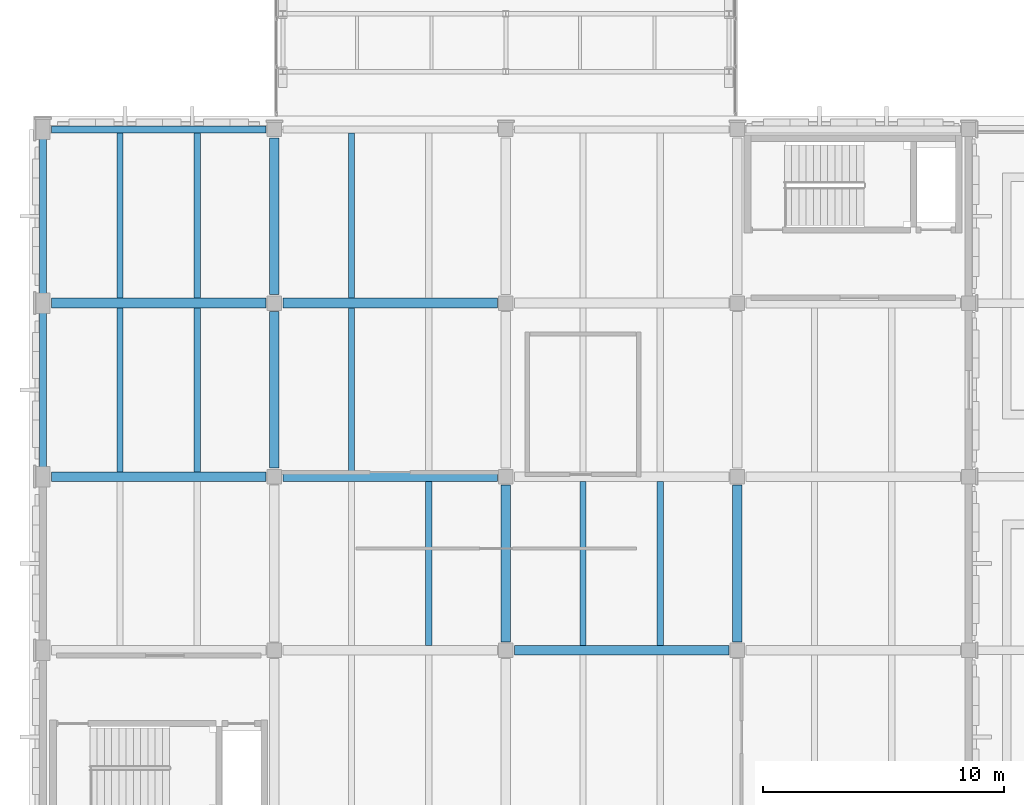
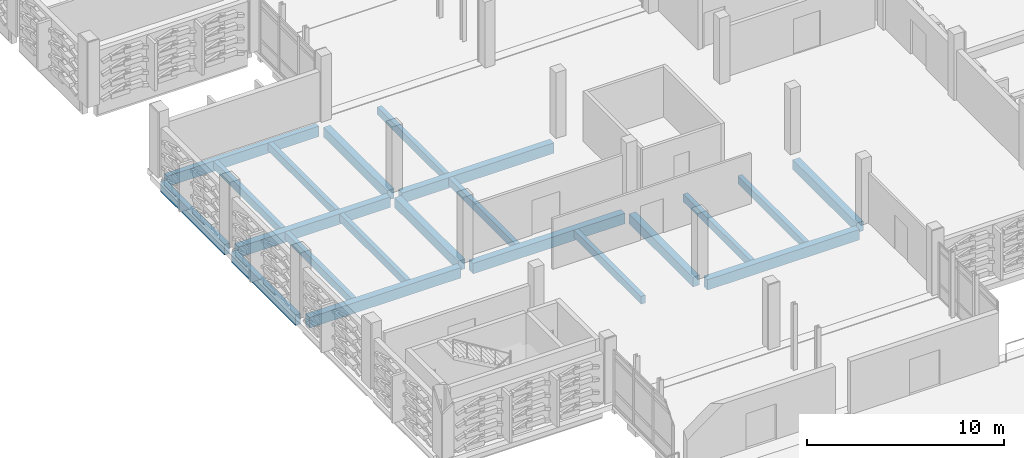
# One storey, part 13 of 134: 21 beams.
"""IFC4 building model written with IfcOpenShell, lengths in metres."""

import ifcopenshell
import ifcopenshell.guid

model = None  # the IFC model being written
_history = None  # IfcOwnerHistory: only IFC2X3 demands one
_inside = {}  # id of a spatial element -> (the spatial element, [elements in it])
_under = {}  # id of a project, library or spatial element -> (it, [spatial elements below it])
_declared = {}  # id of a project -> (the project, [libraries it declares])
_typed = {}  # id of a type object -> (the type object, [elements of that type])
_made_of = {}  # id of a material, layer set ... -> (it, [elements and type objects made of it])


def new_model(schema):
    """Start an empty IFC model of exactly this schema.

    Asked for "IFC4X3", IfcOpenShell would pick the latest addendum, in which some entities
    have other attributes; the version numbers below select the first issue.
    IFC2X3 requires an IfcOwnerHistory on every rooted entity: one is made here for all.
    """
    global model, _history
    if schema == "IFC4X3":
        model = ifcopenshell.file(schema_version=(4, 3, 0, 0))
    else:
        model = ifcopenshell.file(schema=schema)
    _inside.clear()
    _under.clear()
    _declared.clear()
    _typed.clear()
    _made_of.clear()
    _history = None
    if model.schema == "IFC2X3":
        org = make("IfcOrganization", Name="unknown")
        user = make(
            "IfcPersonAndOrganization",
            ThePerson=make("IfcPerson", FamilyName="unknown"),
            TheOrganization=org,
        )
        app = make(
            "IfcApplication",
            ApplicationDeveloper=org,
            Version="unknown",
            ApplicationFullName="unknown",
            ApplicationIdentifier="unknown",
        )
        _history = make(
            "IfcOwnerHistory",
            OwningUser=user,
            OwningApplication=app,
            ChangeAction="ADDED",
            CreationDate=0,
        )
    return model


def make(cls, **values):
    """One entity of the class cls with the attributes given. An attribute that is None is left unset."""
    return model.create_entity(
        cls, **{name: value for name, value in values.items() if value is not None}
    )


def rooted(cls, **values):
    """An entity with a GlobalId (a new one), such as an element, a storey or a relation."""
    return make(cls, GlobalId=ifcopenshell.guid.new(), OwnerHistory=_history, **values)


def si_unit(unit_type, name, prefix=None):
    """IfcSIUnit, for example si_unit("LENGTHUNIT", "METRE", prefix="MILLI")."""
    return make("IfcSIUnit", UnitType=unit_type, Prefix=prefix, Name=name)


def assignment(units):
    """IfcUnitAssignment: the units of a project."""
    return None if units is None else make("IfcUnitAssignment", Units=units)


def point(xyz):
    """IfcCartesianPoint."""
    return None if xyz is None else make("IfcCartesianPoint", Coordinates=xyz)


def direction(xyz):
    """IfcDirection."""
    return None if xyz is None else make("IfcDirection", DirectionRatios=xyz)


def frame(location, z_axis=None, x_axis=None):
    """IfcAxis2Placement3D, a coordinate frame: its origin and axes. An axis left out is left unset."""
    return make(
        "IfcAxis2Placement3D",
        Location=point(location),
        Axis=direction(z_axis),
        RefDirection=direction(x_axis),
    )


def frame_2d(location, x_axis=None):
    """IfcAxis2Placement2D, a coordinate frame in the plane: its origin and x axis."""
    return make(
        "IfcAxis2Placement2D", Location=point(location), RefDirection=direction(x_axis)
    )


def origin():
    """The frame at (0, 0, 0) with its axes left unset."""
    return frame((0.0, 0.0, 0.0))


def origin_2d():
    """The frame at (0, 0) in the plane with its x axis left unset."""
    return frame_2d((0.0, 0.0))


def place(relative_to, where):
    """IfcLocalPlacement: puts the frame where relative to a parent placement (None: the world)."""
    return make(
        "IfcLocalPlacement", PlacementRelTo=relative_to, RelativePlacement=where
    )


def context(
    kind, dimensions, precision=None, world=None, true_north=None, identifier=None
):
    """IfcGeometricRepresentationContext, for example the 3D "Model" context."""
    return make(
        "IfcGeometricRepresentationContext",
        ContextIdentifier=identifier,
        ContextType=kind,
        CoordinateSpaceDimension=dimensions,
        Precision=precision,
        WorldCoordinateSystem=world,
        TrueNorth=true_north,
    )


def subcontext(parent, identifier, kind, view, scale=None):
    """IfcGeometricRepresentationSubContext, for example "Body" below "Model"."""
    return make(
        "IfcGeometricRepresentationSubContext",
        ContextIdentifier=identifier,
        ContextType=kind,
        ParentContext=parent,
        TargetScale=scale,
        TargetView=view,
    )


def project(units=None, contexts=None):
    """IfcProject with its units and contexts."""
    return rooted(
        "IfcProject",
        Name="project",
        RepresentationContexts=contexts,
        UnitsInContext=assignment(units),
    )


def spatial(cls, under=None, at=None, **own):
    """A site, building, storey or space (cls), placed at a placement, below another one or the project."""
    s = rooted(cls, ObjectPlacement=at, **own)
    if under is not None:
        _under.setdefault(under.id(), (under, []))[1].append(s)
    return s


def profile(cls, at=None, kind="AREA", **sizes):
    """A parametric profile (cls). Its sizes go by their IFC names, for example OverallWidth=200.0."""
    return make(cls, ProfileType=kind, Position=at, **sizes)


def rectangle(**sizes):
    """IfcRectangleProfileDef."""
    return profile("IfcRectangleProfileDef", **sizes)


def extrude(swept, where, along, depth):
    """IfcExtrudedAreaSolid: the profile swept, set in the frame where, extruded along a direction by depth."""
    return make(
        "IfcExtrudedAreaSolid",
        SweptArea=swept,
        Position=where,
        ExtrudedDirection=direction(along),
        Depth=depth,
    )


def shape(context_of_items, identifier, shape_type, items):
    """IfcShapeRepresentation: the items that make up one representation, for example the "Body"."""
    return make(
        "IfcShapeRepresentation",
        ContextOfItems=context_of_items,
        RepresentationIdentifier=identifier,
        RepresentationType=shape_type,
        Items=items,
    )


def material(Name=None, Category=None):
    """IfcMaterial."""
    return make("IfcMaterial", Name=Name, Category=Category)


def material_profile(
    of_material, cross_section, Name=None, Category=None, Priority=None
):
    """IfcMaterialProfile: a cross section and its material."""
    return make(
        "IfcMaterialProfile",
        Name=Name,
        Material=of_material,
        Profile=cross_section,
        Priority=Priority,
        Category=Category,
    )


def profile_set(profiles, Name=None, composite=None):
    """IfcMaterialProfileSet."""
    return make(
        "IfcMaterialProfileSet",
        Name=Name,
        MaterialProfiles=profiles,
        CompositeProfile=composite,
    )


def made_of(thing, what):
    """Note that an element or type object is made of a material, layer set ...; save() writes the relation."""
    if what is not None:
        _made_of.setdefault(what.id(), (what, []))[1].append(thing)
    return thing


def type_object(cls, material=None, **own):
    """A type object (cls), such as IfcWallType, which elements share."""
    return made_of(rooted(cls, **own), material)


def element(
    cls,
    number,
    at=None,
    inside=None,
    cuts=None,
    type_object=None,
    material=None,
    context=None,
    identifier="Body",
    shape_type=None,
    held_by="IfcProductDefinitionShape",
    body=None,
    shapes=None,
    **own,
):
    """One element of the class cls, such as IfcWall. Its Tag is "e" and its number.

    at: its placement. inside: the storey or other place that contains it. cuts: it is an
    opening in that element (IfcRelVoidsElement). A single representation is given by context,
    identifier, shape_type and body (its items); several are given by shapes. held_by: the class
    of the entity that holds the representations. save() writes the other relations.
    """
    e = rooted(cls, Tag="e%d" % number, ObjectPlacement=at, **own)
    if body is not None:
        shapes = [shape(context, identifier, shape_type, body)]
    if shapes is not None:
        e.Representation = make(held_by, Representations=shapes)
    if inside is not None:
        _inside.setdefault(inside.id(), (inside, []))[1].append(e)
    if cuts is not None:
        rooted(
            "IfcRelVoidsElement", RelatingBuildingElement=cuts, RelatedOpeningElement=e
        )
    if type_object is not None:
        _typed.setdefault(type_object.id(), (type_object, []))[1].append(e)
    return made_of(e, material)


def aggregate(whole, parts):
    """IfcRelAggregates: a whole, such as a stair, and the parts it consists of."""
    return rooted("IfcRelAggregates", RelatingObject=whole, RelatedObjects=parts)


def save(model, path):
    """Write the relations noted so far, then the file.

    IfcRelAggregates (storeys below a building ...), IfcRelContainedInSpatialStructure (elements
    in a storey), IfcRelDefinesByType, IfcRelAssociatesMaterial and IfcRelDeclares: one each for
    every whole, place, type object, material and project.
    """
    for whole, parts in _under.values():
        aggregate(whole, parts)
    for where, things in _inside.values():
        rooted(
            "IfcRelContainedInSpatialStructure",
            RelatedElements=things,
            RelatingStructure=where,
        )
    for kind, things in _typed.values():
        rooted("IfcRelDefinesByType", RelatedObjects=things, RelatingType=kind)
    for what, things in _made_of.values():
        rooted("IfcRelAssociatesMaterial", RelatedObjects=things, RelatingMaterial=what)
    for by, libraries in _declared.values():
        rooted("IfcRelDeclares", RelatingContext=by, RelatedDefinitions=libraries)
    model.write(path)


model = new_model("IFC4")

# Units and contexts
model_context = context("Model", 3, precision=1e-05, world=origin(), true_north=direction((0.0, 1.0)))
body_context = subcontext(model_context, "Body", "Model", "MODEL_VIEW")
ifc_project = project(units=[si_unit("LENGTHUNIT", "METRE"), si_unit("AREAUNIT", "SQUARE_METRE"), si_unit("VOLUMEUNIT", "CUBIC_METRE"), si_unit("PLANEANGLEUNIT", "RADIAN"), si_unit("MASSUNIT", "GRAM", prefix="KILO")], contexts=[model_context])

# Site, building, storey
site_placement = place(None, origin())
site = spatial("IfcSite", under=ifc_project, at=site_placement, CompositionType="ELEMENT")
building_placement = place(site_placement, origin())
building = spatial("IfcBuilding", under=site, at=building_placement, Name="Asteropetra Specialist Clinic", CompositionType="ELEMENT")
storey_placement = place(building_placement, frame((0.0, 0.0, 8.5)))
storey = spatial("IfcBuildingStorey", under=building, at=storey_placement, Name="L02", CompositionType="ELEMENT", Elevation=8.5)

# Beams
ifc_material_1 = material(Name="Concrete C35/45", Category="concrete")
ifc_material_profile_1 = material_profile(ifc_material_1, rectangle(XDim=0.39990234375, YDim=0.60009765625, at=origin_2d()), Name="RCB 400x600")
ifc_profile_set_1 = profile_set([ifc_material_profile_1], Name="Concrete C35/45")
beam_type_1 = type_object("IfcBeamType", Name="BM-RC400x600", PredefinedType="BEAM", material=ifc_profile_set_1)
for number, where, z_axis, x_axis, name in (
    (1, (19.199951171875, 41.14990234375, -0.60009765625), (0.0, 1.0, 0.0), (-1.0, 0.0, 0.0), "Beam BBM08-1085"),
    (2, (28.800048828125, 41.14990234375, -0.60009765625), (0.0, 1.0, 0.0), (-1.0, 0.0, 0.0), "Beam BBM08-1086"),
    (3, (9.60009765625, 48.35009765625, -0.60009765625), (0.0, 1.0, 0.0), (-1.0, 0.0, 0.0), "Beam BBM08-1096"),
    (4, (9.60009765625, 55.550048828125, -0.60009765625), (0.0, 1.0, 0.0), (-1.0, 0.0, 0.0), "Beam BBM08-1108"),
):
    element("IfcBeam", number, at=place(storey_placement, frame(where, z_axis=z_axis, x_axis=x_axis)), inside=storey, type_object=beam_type_1, Name=name, PredefinedType="BEAM", context=body_context, shape_type="SweptSolid", body=[
        extrude(rectangle(XDim=0.39990234375, YDim=0.60009765625, at=origin_2d()), origin(), (0.0, 0.0, 1.0), 6.5),
    ])
ifc_material_2 = material(Name="Concrete C35/45", Category="concrete")
ifc_material_profile_2 = material_profile(ifc_material_2, rectangle(XDim=0.39990234375, YDim=0.64990234375, at=origin_2d()), Name="RCB 400x650")
ifc_profile_set_2 = profile_set([ifc_material_profile_2], Name="Concrete C35/45")
beam_type_2 = type_object("IfcBeamType", Name="BM-RC400x650", PredefinedType="BEAM", material=ifc_profile_set_2)
for number, where, z_axis, x_axis, name in (
    (5, (19.550048828125, 40.800048828125, -0.625), (1.0, 0.0, 0.0), (0.0, 1.0, 0.0), "Beam BBM07-1059"),
    (6, (0.35009765625, 48.0, -0.625), (1.0, 0.0, 0.0), (0.0, 1.0, 0.0), "Beam BBM07-1061"),
):
    element("IfcBeam", number, at=place(storey_placement, frame(where, z_axis=z_axis, x_axis=x_axis)), inside=storey, type_object=beam_type_2, Name=name, PredefinedType="BEAM", context=body_context, shape_type="SweptSolid", body=[
        extrude(rectangle(XDim=0.39990234375, YDim=0.64990234375, at=origin_2d()), origin(), (0.0, 0.0, 1.0), 8.89990234375),
    ])
beam_1_placement = place(storey_placement, frame((9.949951171875, 48.0, -0.625), z_axis=(1.0, 0.0, 0.0), x_axis=(0.0, 1.0, 0.0)))
element("IfcBeam", 7, at=beam_1_placement, inside=storey, type_object=beam_type_2, Name="Beam BBM07-1062", PredefinedType="BEAM", context=body_context, shape_type="SweptSolid", body=[
    extrude(rectangle(XDim=0.39990234375, YDim=0.64990234375, at=origin_2d()), origin(), (0.0, 0.0, 1.0), 8.900146484375),
])
beam_2_placement = place(storey_placement, frame((0.35009765625, 55.199951171875, -0.625), z_axis=(1.0, 0.0, 0.0), x_axis=(0.0, 1.0, 0.0)))
element("IfcBeam", 8, at=beam_2_placement, inside=storey, type_object=beam_type_2, Name="Beam BBM07-1065", PredefinedType="BEAM", context=body_context, shape_type="SweptSolid", body=[
    extrude(rectangle(XDim=0.39990234375, YDim=0.64990234375, at=origin_2d()), origin(), (0.0, 0.0, 1.0), 8.89990234375),
])
beam_3_placement = place(storey_placement, frame((9.949951171875, 55.199951171875, -0.625), z_axis=(1.0, 0.0, 0.0), x_axis=(0.0, 1.0, 0.0)))
element("IfcBeam", 9, at=beam_3_placement, inside=storey, type_object=beam_type_2, Name="Beam BBM07-1066", PredefinedType="BEAM", context=body_context, shape_type="SweptSolid", body=[
    extrude(rectangle(XDim=0.39990234375, YDim=0.64990234375, at=origin_2d()), origin(), (0.0, 0.0, 1.0), 8.900146484375),
])
ifc_material_3 = material(Name="Concrete C35/45", Category="concrete")
ifc_material_profile_3 = material_profile(ifc_material_3, rectangle(XDim=0.260009765625, YDim=0.47998046875, at=origin_2d()), Name="RCJ 260x480")
ifc_profile_set_3 = profile_set([ifc_material_profile_3], Name="Concrete C35/45")
beam_type_3 = type_object("IfcBeamType", Name="JST-RC260x480", PredefinedType="JOIST", material=ifc_profile_set_3)
for number, where, z_axis, x_axis, name in (
    (10, (16.0, 41.0, -0.5400390625), (0.0, 1.0, 0.0), (-1.0, 0.0, 0.0), "Joist JJST02-1090"),
    (11, (22.39990234375, 41.0, -0.5400390625), (0.0, 1.0, 0.0), (-1.0, 0.0, 0.0), "Joist JJST02-1091"),
    (12, (25.60009765625, 41.0, -0.5400390625), (0.0, 1.0, 0.0), (-1.0, 0.0, 0.0), "Joist JJST02-1092"),
    (13, (3.199951171875, 48.199951171875, -0.5400390625), (0.0, 1.0, 0.0), (-1.0, 0.0, 0.0), "Joist JJST02-1099"),
    (14, (6.39990234375, 48.199951171875, -0.5400390625), (0.0, 1.0, 0.0), (-1.0, 0.0, 0.0), "Joist JJST02-1100"),
    (15, (12.800048828125, 48.199951171875, -0.5400390625), (0.0, 1.0, 0.0), (-1.0, 0.0, 0.0), "Joist JJST02-1101"),
):
    element("IfcBeam", number, at=place(storey_placement, frame(where, z_axis=z_axis, x_axis=x_axis)), inside=storey, type_object=beam_type_3, Name=name, PredefinedType="JOIST", context=body_context, shape_type="SweptSolid", body=[
        extrude(rectangle(XDim=0.260009765625, YDim=0.47998046875, at=origin_2d()), origin(), (0.0, 0.0, 1.0), 6.800048828125),
    ])
for number, where, z_axis, x_axis, name in (
    (16, (3.199951171875, 55.39990234375, -0.5400390625), (0.0, 1.0, 0.0), (-1.0, 0.0, 0.0), "Joist JJST02-1111"),
    (17, (6.39990234375, 55.39990234375, -0.5400390625), (0.0, 1.0, 0.0), (-1.0, 0.0, 0.0), "Joist JJST02-1112"),
    (18, (12.800048828125, 55.39990234375, -0.5400390625), (0.0, 1.0, 0.0), (-1.0, 0.0, 0.0), "Joist JJST02-1113"),
):
    element("IfcBeam", number, at=place(storey_placement, frame(where, z_axis=z_axis, x_axis=x_axis)), inside=storey, type_object=beam_type_3, Name=name, PredefinedType="JOIST", context=body_context, shape_type="SweptSolid", body=[
        extrude(rectangle(XDim=0.260009765625, YDim=0.47998046875, at=origin_2d()), origin(), (0.0, 0.0, 1.0), 6.85009765625),
    ])
ifc_material_4 = material(Name="Concrete C35/45", Category="concrete")
ifc_material_profile_4 = material_profile(ifc_material_4, rectangle(XDim=0.300048828125, YDim=0.64990234375, at=origin_2d()), Name="RCS 300x650")
ifc_profile_set_4 = profile_set([ifc_material_profile_4], Name="Concrete C35/45")
beam_type_4 = type_object("IfcBeamType", Name="SPN-RC300x650", PredefinedType="SPANDREL", material=ifc_profile_set_4)
beam_4_placement = place(storey_placement, frame((0.35009765625, 62.39990234375, -0.625), z_axis=(1.0, 0.0, 0.0), x_axis=(0.0, 1.0, 0.0)))
element("IfcBeam", 19, at=beam_4_placement, inside=storey, type_object=beam_type_4, Name="Beam BSPN03-1069", PredefinedType="SPANDREL", context=body_context, shape_type="SweptSolid", body=[
    extrude(rectangle(XDim=0.300048828125, YDim=0.64990234375, at=origin_2d()), origin(), (0.0, 0.0, 1.0), 8.89990234375),
])
for number, where, z_axis, x_axis, name in (
    (20, (0.0, 48.35009765625, -0.625), (0.0, 1.0, 0.0), (-1.0, 0.0, 0.0), "Beam BSPN03-1095"),
    (21, (0.0, 55.550048828125, -0.625), (0.0, 1.0, 0.0), (-1.0, 0.0, 0.0), "Beam BSPN03-1107"),
):
    element("IfcBeam", number, at=place(storey_placement, frame(where, z_axis=z_axis, x_axis=x_axis)), inside=storey, type_object=beam_type_4, Name=name, PredefinedType="SPANDREL", context=body_context, shape_type="SweptSolid", body=[
        extrude(rectangle(XDim=0.300048828125, YDim=0.64990234375, at=origin_2d()), origin(), (0.0, 0.0, 1.0), 6.5),
    ])

save(model, "model.ifc")
